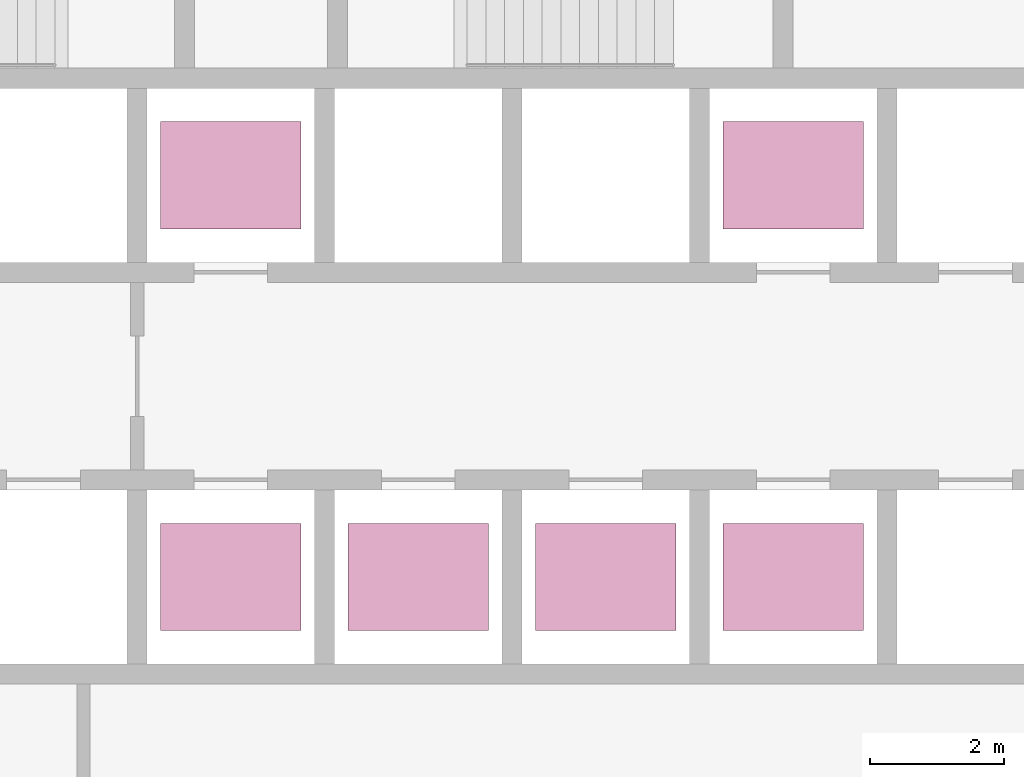
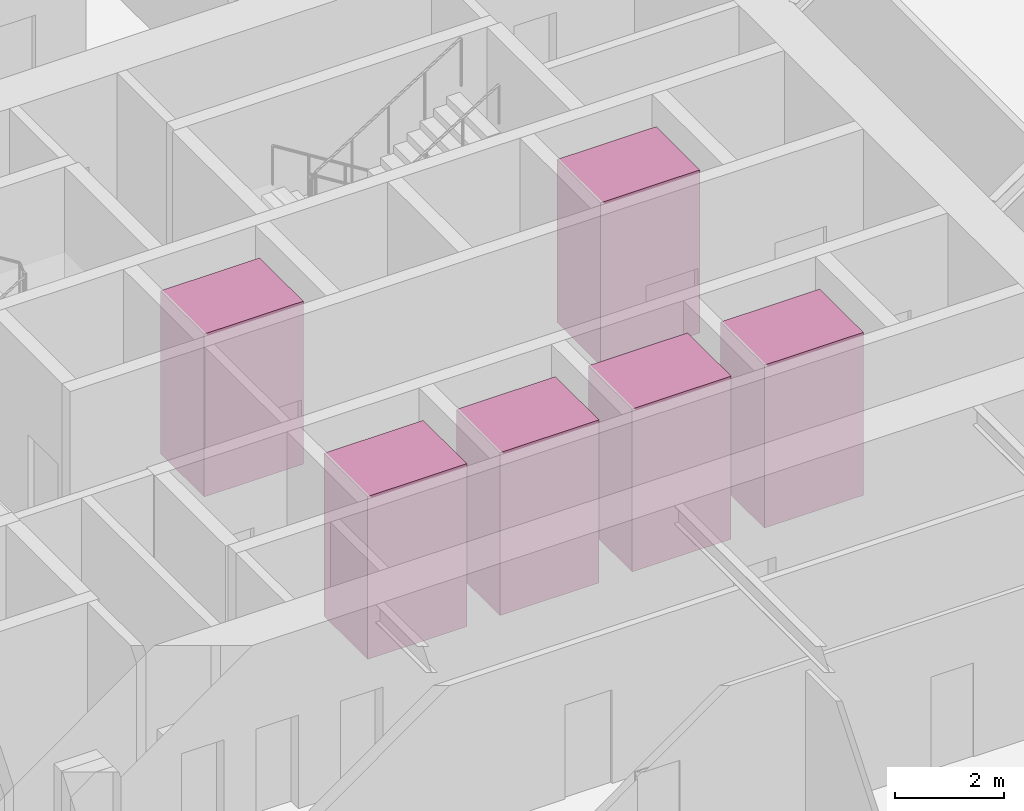
# One storey, part 21 of 21: 6 transport elements.
"""IFC4 building model written with IfcOpenShell, lengths in metres."""

from ifc_helpers import new_model, si_unit, direction, frame, origin, origin_2d, place, context, subcontext, project, spatial, rectangle, extrude, material, type_object, element, save


model = new_model("IFC4")

# Units and contexts
model_context = context("Model", 3, precision=1e-05, world=origin(), true_north=direction((0.0, 1.0)))
body_context = subcontext(model_context, "Body", "Model", "MODEL_VIEW")
ifc_project = project(units=[si_unit("LENGTHUNIT", "METRE"), si_unit("AREAUNIT", "SQUARE_METRE"), si_unit("VOLUMEUNIT", "CUBIC_METRE"), si_unit("PLANEANGLEUNIT", "RADIAN"), si_unit("MASSUNIT", "GRAM", prefix="KILO")], contexts=[model_context])

# Site, building, storey
site_placement = place(None, origin())
site = spatial("IfcSite", under=ifc_project, at=site_placement, CompositionType="ELEMENT")
building_placement = place(site_placement, origin())
building = spatial("IfcBuilding", under=site, at=building_placement, Name="Firuza Gate Tower and Library", CompositionType="ELEMENT")
storey_placement = place(building_placement, frame((0.0, 0.0, 73.60009765625)))
storey = spatial("IfcBuildingStorey", under=building, at=storey_placement, Name="L16", CompositionType="ELEMENT", Elevation=73.60009765625)

# Transport elements
ifc_material = material(Name="Stainless steel and glass", Category="steel")
transport_element_type = type_object("IfcTransportElementType", Name="Low-rise lift car 2100x1600", PredefinedType="ELEVATOR", material=ifc_material)
for number, where, z_axis, x_axis, name in (
    (1, (74.64990234375, 70.300048828125, 0.0), (0.0, 0.0, 1.0), (1.0, 0.0, 0.0), "Low-rise lift LR1"),
    (2, (77.449951171875, 70.300048828125, 0.0), (0.0, 0.0, 1.0), (1.0, 0.0, 0.0), "Low-rise lift LR2"),
    (3, (80.25, 70.300048828125, 0.0), (0.0, 0.0, 1.0), (1.0, 0.0, 0.0), "Low-rise lift LR3"),
    (4, (74.64990234375, 76.300048828125, 0.0), (0.0, 0.0, 1.0), (1.0, 0.0, 0.0), "Low-rise lift LR4"),
    (5, (83.050048828125, 70.300048828125, 0.0), (0.0, 0.0, 1.0), (1.0, 0.0, 0.0), "Low-rise lift LR5"),
    (6, (83.050048828125, 76.300048828125, 0.0), (0.0, 0.0, 1.0), (1.0, 0.0, 0.0), "Low-rise lift LR6"),
):
    element("IfcTransportElement", number, at=place(storey_placement, frame(where, z_axis=z_axis, x_axis=x_axis)), inside=storey, type_object=transport_element_type, Name=name, PredefinedType="ELEVATOR", context=body_context, shape_type="SweptSolid", body=[
        extrude(rectangle(XDim=2.10009765625, YDim=1.60009765625, at=origin_2d()), origin(), (0.0, 0.0, 1.0), 3.64990234375),
    ])

save(model, "model.ifc")
